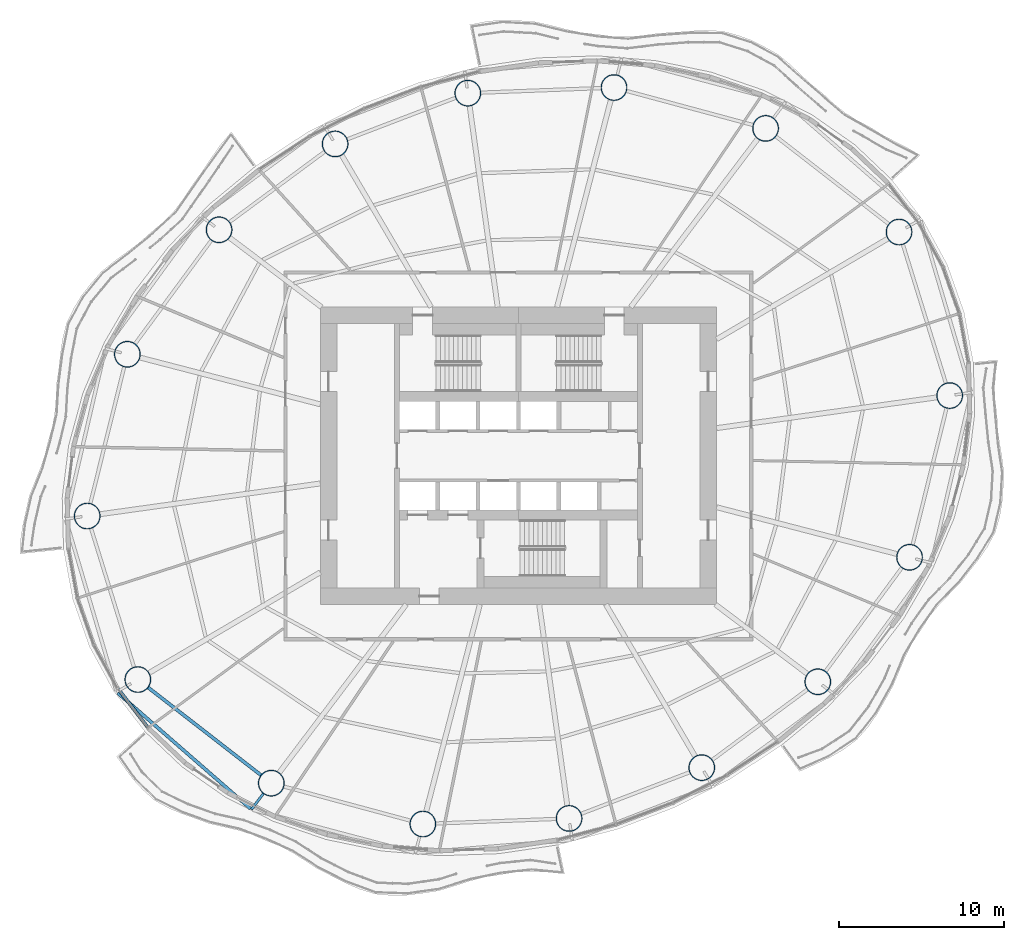
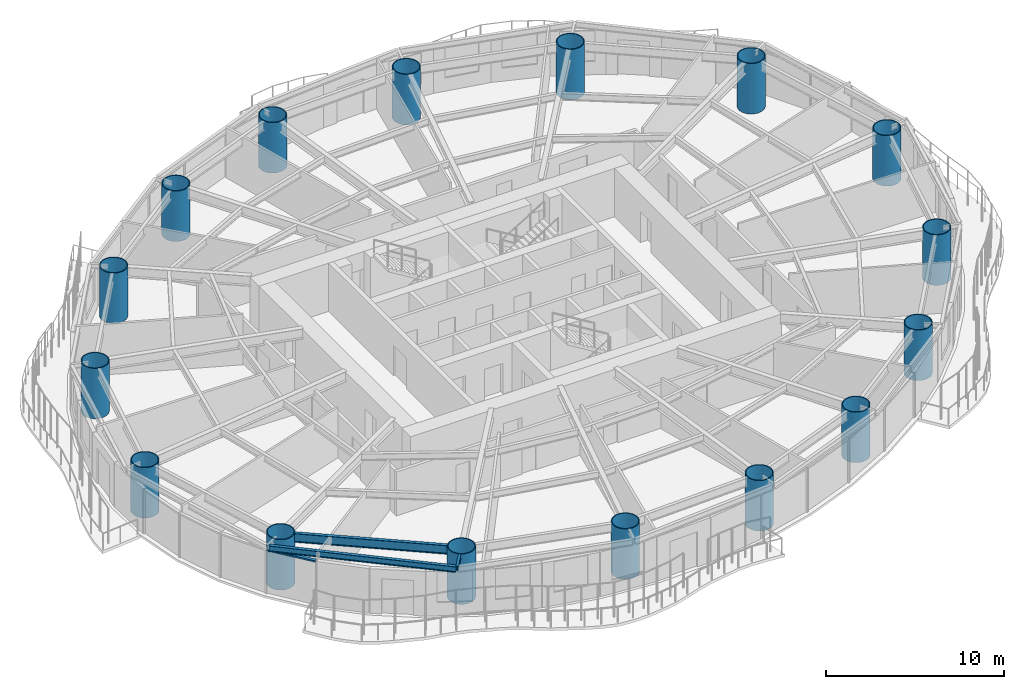
# One storey, part 1 of 15: 16 columns, 3 beams, 1 member, 1 element without a shape of its own.
"""IFC4 building model written with IfcOpenShell, lengths in metres."""

from ifc_helpers import new_model, si_unit, direction, frame, origin, origin_2d, place, context, subcontext, project, spatial, rectangle, hollow_circle, i_section, extrude, material, material_profile, profile_set, type_object, element, aggregate, save


model = new_model("IFC4")

# Units and contexts
model_context = context("Model", 3, precision=1e-05, world=origin(), true_north=direction((0.0, 1.0)))
body_context = subcontext(model_context, "Body", "Model", "MODEL_VIEW")
ifc_project = project(units=[si_unit("LENGTHUNIT", "METRE"), si_unit("AREAUNIT", "SQUARE_METRE"), si_unit("VOLUMEUNIT", "CUBIC_METRE"), si_unit("PLANEANGLEUNIT", "RADIAN"), si_unit("MASSUNIT", "GRAM", prefix="KILO")], contexts=[model_context])

# Site, building, storey
site_placement = place(None, origin())
site = spatial("IfcSite", under=ifc_project, at=site_placement, CompositionType="ELEMENT")
building_placement = place(site_placement, origin())
building = spatial("IfcBuilding", under=site, at=building_placement, Name="Vermilion Reach Broadcast Tower", CompositionType="ELEMENT")
storey_placement = place(building_placement, frame((0.0, 0.0, 128.199951171875)))
storey = spatial("IfcBuildingStorey", under=building, at=storey_placement, Name="L30", CompositionType="ELEMENT", Elevation=128.199951171875)

# Columns
ifc_material_1 = material(Name="Concrete C80 infill in steel S460NL tube", Category="concrete")
ifc_material_profile_1 = material_profile(ifc_material_1, hollow_circle(Radius=0.800048828125, WallThickness=0.054931640625, at=origin_2d()), Name="Concrete C80 infill in steel S460NL tube CFT 1600x55")
ifc_profile_set_1 = profile_set([ifc_material_profile_1], Name="Concrete C80 infill in steel S460NL tube")
column_type = type_object("IfcColumnType", Name="MC2 CFT 1600x55", PredefinedType="COLUMN", material=ifc_profile_set_1)
for number, where, z_axis, x_axis, name in (
    (1, (17.04345703125, 13.546630859375, 0.0), (0.0, 0.0, 1.0), (1.0, 0.0, 0.0), "Mega-column MC2-01"),
    (2, (8.96337890625, 19.821044921875, 0.0), (0.0, 0.0, 1.0), (1.0, 0.0, 0.0), "Mega-column MC2-02"),
    (3, (-0.21337890625, 22.29443359375, 0.0), (0.0, 0.0, 1.0), (1.0, 0.0, 0.0), "Mega-column MC2-03"),
    (4, (-9.066162109375, 21.955810546875, 0.0), (0.0, 0.0, 1.0), (1.0, 0.0, 0.0), "Mega-column MC2-04"),
    (5, (-17.099609375, 18.881103515625, 0.0), (0.0, 0.0, 1.0), (1.0, 0.0, 0.0), "Mega-column MC2-05"),
    (6, (-24.12451171875, 13.6826171875, 0.0), (0.0, 0.0, 1.0), (1.0, 0.0, 0.0), "Mega-column MC2-06"),
    (7, (-29.6787109375, 6.145751953125, 0.0), (0.0, 0.0, 1.0), (1.0, 0.0, 0.0), "Mega-column MC2-07"),
    (8, (-32.10888671875, -3.646240234375, 0.0), (0.0, 0.0, 1.0), (1.0, 0.0, 0.0), "Mega-column MC2-08"),
    (9, (-29.04345703125, -13.546630859375, 0.0), (0.0, 0.0, 1.0), (1.0, 0.0, 0.0), "Mega-column MC2-09"),
    (10, (-20.96337890625, -19.821044921875, 0.0), (0.0, 0.0, 1.0), (1.0, 0.0, 0.0), "Mega-column MC2-10"),
    (11, (-11.78662109375, -22.29443359375, 0.0), (0.0, 0.0, 1.0), (1.0, 0.0, 0.0), "Mega-column MC2-11"),
    (12, (-2.933837890625, -21.955810546875, 0.0), (0.0, 0.0, 1.0), (1.0, 0.0, 0.0), "Mega-column MC2-12"),
    (13, (5.099609375, -18.881103515625, 0.0), (0.0, 0.0, 1.0), (1.0, 0.0, 0.0), "Mega-column MC2-13"),
    (14, (12.12451171875, -13.6826171875, 0.0), (0.0, 0.0, 1.0), (1.0, 0.0, 0.0), "Mega-column MC2-14"),
    (15, (17.6787109375, -6.145751953125, 0.0), (0.0, 0.0, 1.0), (1.0, 0.0, 0.0), "Mega-column MC2-15"),
    (16, (20.10888671875, 3.646240234375, 0.0), (0.0, 0.0, 1.0), (1.0, 0.0, 0.0), "Mega-column MC2-16"),
):
    element("IfcColumn", number, at=place(storey_placement, frame(where, z_axis=z_axis, x_axis=x_axis)), inside=storey, type_object=column_type, Name=name, PredefinedType="COLUMN", context=body_context, shape_type="SweptSolid", body=[
        extrude(hollow_circle(Radius=0.800048828125, WallThickness=0.054931640625, at=origin_2d()), origin(), (0.0, 0.0, 1.0), 3.449951171875),
    ])

# Beams
ifc_material_2 = material(Name="Steel S355J2", Category="steel")
ifc_material_profile_2 = material_profile(ifc_material_2, i_section(OverallWidth=0.199951171875, OverallDepth=0.39990234375, WebThickness=0.008056640625, FlangeThickness=0.012939453125, at=origin_2d()), Name="S355J2 HN 400x200x8x13")
ifc_profile_set_2 = profile_set([ifc_material_profile_2], Name="Steel S355J2")
beam_type_1 = type_object("IfcBeamType", Name="EB2 HN 400x200x8x13", PredefinedType="BEAM", material=ifc_profile_set_2)
beam_1_placement = place(storey_placement, frame((-30.26416015625, -14.351318359375, 3.25), z_axis=(0.753800046585, -0.657103865282, 0.0), x_axis=(0.657103865282, 0.753800046585, 0.0)))
element("IfcBeam", 17, at=beam_1_placement, inside=storey, type_object=beam_type_1, Name="Edge beam EB2-09", PredefinedType="BEAM", context=body_context, shape_type="SweptSolid", body=[
    extrude(i_section(OverallWidth=0.199951171875, OverallDepth=0.39990234375, WebThickness=0.008056640625, FlangeThickness=0.012939453125, at=origin_2d()), origin(), (0.0, 0.0, 1.0), 10.669921875),
])
ifc_material_3 = material(Name="Steel S355J2", Category="steel")
ifc_material_profile_3 = material_profile(ifc_material_3, i_section(OverallWidth=0.14990234375, OverallDepth=0.300048828125, WebThickness=0.006591796875, FlangeThickness=0.009033203125, at=origin_2d()), Name="S355J2 HN 300x150x6.5x9")
ifc_profile_set_3 = profile_set([ifc_material_profile_3], Name="Steel S355J2")
beam_type_2 = type_object("IfcBeamType", Name="GS2 HN 300x150x6.5x9", PredefinedType="BEAM", material=ifc_profile_set_3)
beam_2_placement = place(storey_placement, frame((-21.4453125, -20.45947265625, 3.300048828125), z_axis=(-0.602419200578, -0.798179871191, 0.0), x_axis=(0.798179871191, -0.602419200578, 0.0)))
element("IfcBeam", 18, at=beam_2_placement, inside=storey, type_object=beam_type_2, Name="Cantilever stub GS2-10", PredefinedType="BEAM", context=body_context, shape_type="SweptSolid", body=[
    extrude(i_section(OverallWidth=0.14990234375, OverallDepth=0.300048828125, WebThickness=0.006591796875, FlangeThickness=0.009033203125, at=origin_2d()), origin(), (0.0, 0.0, 1.0), 1.193603515625),
])
ifc_material_4 = material(Name="Steel S355J2", Category="steel")
ifc_material_profile_4 = material_profile(ifc_material_4, i_section(OverallWidth=0.199951171875, OverallDepth=0.60009765625, WebThickness=0.010986328125, FlangeThickness=0.01708984375, at=origin_2d()), Name="S355J2 HN 600x200x11x17")
ifc_profile_set_4 = profile_set([ifc_material_profile_4], Name="Steel S355J2")
beam_type_3 = type_object("IfcBeamType", Name="RB2 HN 600x200x11x17", PredefinedType="BEAM", material=ifc_profile_set_4)
beam_3_placement = place(storey_placement, frame((-28.41162109375, -14.037109375, 3.150146484375), z_axis=(0.789825712432, -0.613331349257, 0.0), x_axis=(0.613331349257, 0.789825712432, 0.0)))
element("IfcBeam", 19, at=beam_3_placement, inside=storey, type_object=beam_type_3, Name="Ring beam RB2-09", PredefinedType="BEAM", context=body_context, shape_type="SweptSolid", body=[
    extrude(i_section(OverallWidth=0.199951171875, OverallDepth=0.60009765625, WebThickness=0.010986328125, FlangeThickness=0.01708984375, at=origin_2d()), origin(), (0.0, 0.0, 1.0), 8.63037109375),
])

# Curtain wall, member
ifc_material_5 = material(Name="Low-e laminated clear glass in aluminium frame", Category="aluminium")
curtain_wall_type = type_object("IfcCurtainWallType", Name="Slot curtain wall", PredefinedType="NOTDEFINED", material=ifc_material_5)
curtain_wall_placement = place(storey_placement, origin())
curtain_wall = element("IfcCurtainWall", 20, at=curtain_wall_placement, inside=storey, type_object=curtain_wall_type, Name="Slot curtain wall L30 25", PredefinedType="NOTDEFINED")
ifc_material_6 = material(Name="Anodised aluminium", Category="aluminium")
ifc_material_profile_5 = material_profile(ifc_material_6, rectangle(XDim=0.199951171875, YDim=0.10009765625, at=origin_2d()), Name="Slot transom 200 x 100")
ifc_profile_set_5 = profile_set([ifc_material_profile_5], Name="Anodised aluminium")
member_type = type_object("IfcMemberType", Name="Slot transom 200 x 100", PredefinedType="USERDEFINED", material=ifc_profile_set_5)
member_placement = place(storey_placement, frame((-30.2392578125, -14.111328125, 3.0), z_axis=(0.610754515338, -0.791820006058, 0.0), x_axis=(0.791820006058, 0.610754515338, 0.0)))
member = element("IfcMember", 21, at=member_placement, type_object=member_type, Name="Slot transom L30 25.1", ObjectType="TRANSOM", PredefinedType="USERDEFINED", context=body_context, shape_type="SweptSolid", body=[
    extrude(rectangle(XDim=0.199951171875, YDim=0.10009765625, at=origin_2d()), origin(), (0.0, 0.0, 1.0), 2.948974609375),
])
aggregate(curtain_wall, [member])

save(model, "model.ifc")
